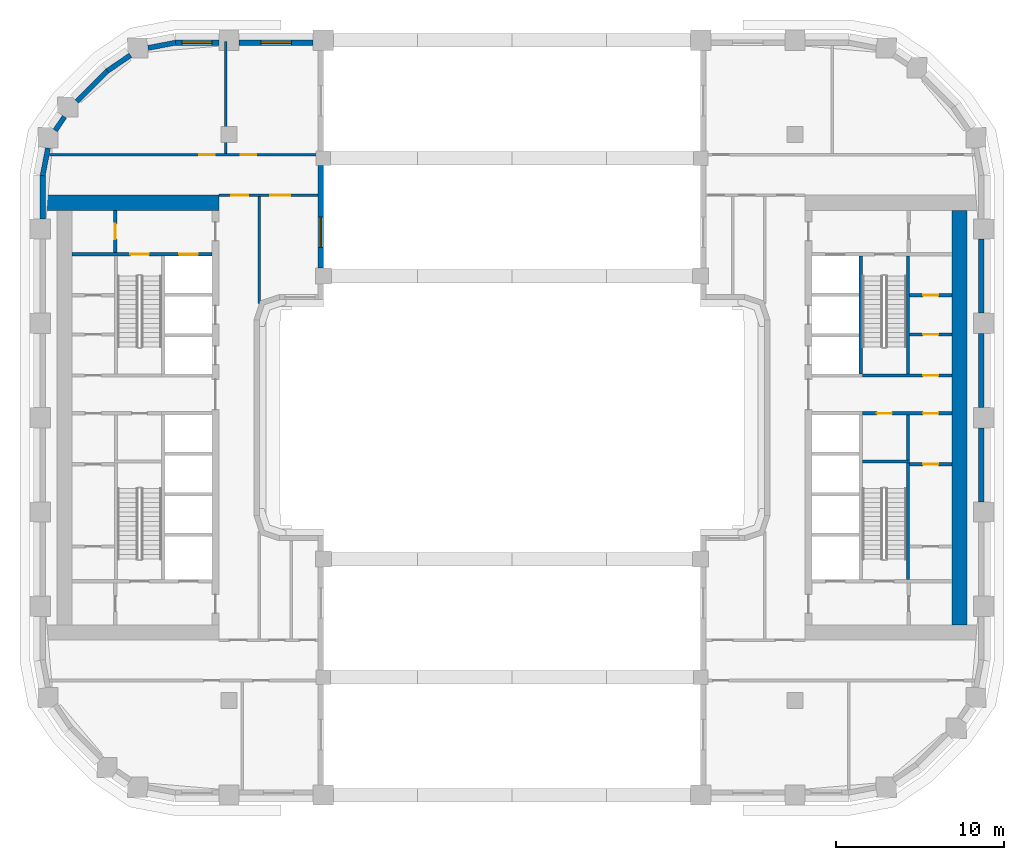
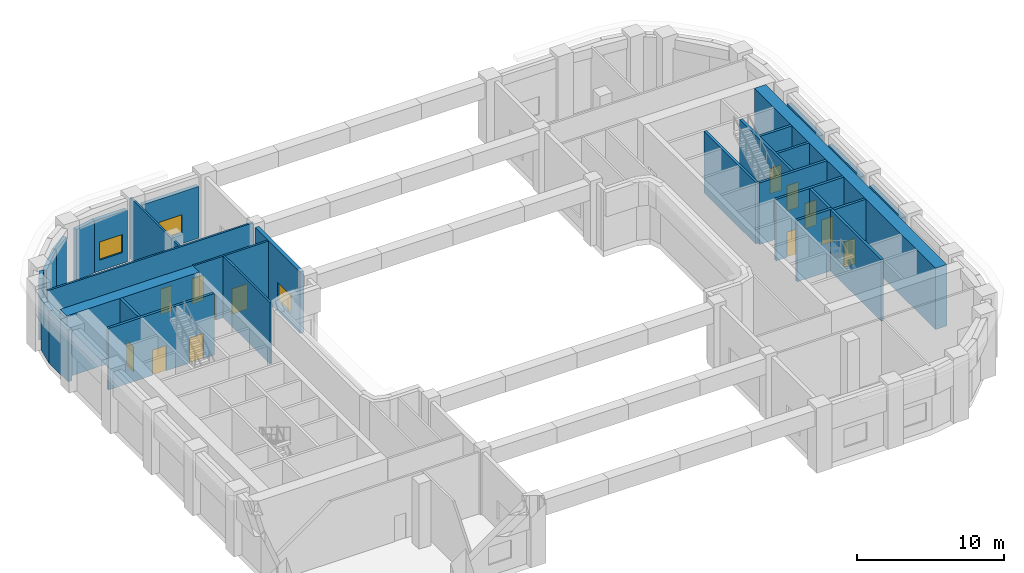
# One storey, part 5 of 14: 30 walls, 13 doors, 3 windows, 16 openings.
"""IFC4 building model written with IfcOpenShell, lengths in metres."""

from ifc_helpers import new_model, si_unit, direction, frame, frame_2d, origin, place, context, subcontext, project, spatial, rectangle, extrude, material, layer, layer_set, type_object, element, fill, save


model = new_model("IFC4")

# Units and contexts
model_context = context("Model", 3, precision=1e-05, world=origin(), true_north=direction((0.0, 1.0)))
body_context = subcontext(model_context, "Body", "Model", "MODEL_VIEW")
ifc_project = project(units=[si_unit("LENGTHUNIT", "METRE"), si_unit("AREAUNIT", "SQUARE_METRE"), si_unit("VOLUMEUNIT", "CUBIC_METRE"), si_unit("PLANEANGLEUNIT", "RADIAN"), si_unit("MASSUNIT", "GRAM", prefix="KILO")], contexts=[model_context])

# Site, building, storey
site_placement = place(None, origin())
site = spatial("IfcSite", under=ifc_project, at=site_placement, CompositionType="ELEMENT")
building_placement = place(site_placement, origin())
building = spatial("IfcBuilding", under=site, at=building_placement, Name="Kiln Ring Residences", CompositionType="ELEMENT")
storey_placement = place(building_placement, frame((0.0, 0.0, 130.699951171875)))
storey = spatial("IfcBuildingStorey", under=building, at=storey_placement, Name="L33", CompositionType="ELEMENT", Elevation=130.699951171875)

# Wall, opening, door
ifc_material_1 = material(Name="Gypsum board on steel studs", Category="steel")
ifc_layer_1 = layer(ifc_material_1, 0.199951171875)
ifc_layer_set_1 = layer_set([ifc_layer_1], Name="CORE-PARTITION-200")
wall_type_1 = type_object("IfcWallType", Name="CORE-PARTITION-200", PredefinedType="PARTITIONING", material=ifc_layer_set_1)
wall_1_placement = place(storey_placement, frame((-23.550048828125, 9.800048828125, 0.0), z_axis=(0.0, 0.0, 1.0), x_axis=(0.0, 1.0, 0.0)))
wall_1 = element("IfcWall", 1, at=wall_1_placement, inside=storey, type_object=wall_type_1, Name="Core partition west L33 3", PredefinedType="PARTITIONING", context=body_context, shape_type="SweptSolid", body=[
    extrude(rectangle(XDim=2.5, YDim=0.199951171875, at=frame_2d((1.25, 0.0))), origin(), (0.0, 0.0, 1.0), 5.10009765625),
])
opening_1_placement = place(wall_1_placement, frame((0.800048828125, 0.0, 0.0)))
opening_1 = element("IfcOpeningElement", 2, at=opening_1_placement, cuts=wall_1, Name="Opening L33-CW07", PredefinedType="OPENING", context=body_context, shape_type="SweptSolid", body=[
    extrude(rectangle(XDim=0.89990234375, YDim=2.10009765625, at=frame_2d((0.449951171875, 1.050048828125))), frame((0.0, 0.10986328125, 0.0), z_axis=(0.0, -1.0, 0.0), x_axis=(1.0, 0.0, 0.0)), (0.0, 0.0, 1.0), 0.219970703125),
])
ifc_material_2 = material(Name="Steel door leaf", Category="steel")
door_type_1 = type_object("IfcDoorType", Name="CORE-DOOR-ROOM", OperationType="SINGLE_SWING_LEFT", PredefinedType="DOOR", material=ifc_material_2)
door_1_placement = place(opening_1_placement, origin())
door_1 = element("IfcDoor", 3, at=door_1_placement, inside=storey, type_object=door_type_1, Name="Fire riser room L33-CW07", OperationType="SINGLE_SWING_LEFT", OverallHeight=2.10009765625, OverallWidth=0.89990234375, PredefinedType="DOOR", context=body_context, shape_type="SweptSolid", body=[
    extrude(rectangle(XDim=0.89990234375, YDim=2.10009765625, at=frame_2d((0.449951171875, 1.050048828125))), frame((0.0, 0.02490234375, 0.0), z_axis=(0.0, -1.0, 0.0), x_axis=(1.0, 0.0, 0.0)), (0.0, 0.0, 1.0), 0.050048828125),
])
fill(opening_1, door_1)

# Wall
wall_2_placement = place(storey_placement, frame((23.5, -2.5, 0.0), z_axis=(0.0, 0.0, 1.0), x_axis=(0.0, 1.0, 0.0)))
element("IfcWall", 4, at=wall_2_placement, inside=storey, type_object=wall_type_1, Name="Core partition east L33 1", PredefinedType="PARTITIONING", context=body_context, shape_type="SweptSolid", body=[
    extrude(rectangle(XDim=2.64990234375, YDim=0.199951171875, at=frame_2d((1.324951171875, 0.0))), origin(), (0.0, 0.0, 1.0), 5.10009765625),
])

# Wall, openings, doors
wall_3_placement = place(storey_placement, frame((20.800048828125, 0.25, 0.0), z_axis=(0.0, 0.0, 1.0), x_axis=(1.0, 0.0, 0.0)))
wall_3 = element("IfcWall", 5, at=wall_3_placement, inside=storey, type_object=wall_type_1, Name="Core partition east L33 2", PredefinedType="PARTITIONING", context=body_context, shape_type="SweptSolid", body=[
    extrude(rectangle(XDim=5.300048828125, YDim=0.199951171875, at=frame_2d((2.64990234375, 0.0))), origin(), (0.0, 0.0, 1.0), 5.10009765625),
])
opening_2_placement = place(wall_3_placement, frame((0.85009765625, 0.0, 0.0)))
opening_2 = element("IfcOpeningElement", 6, at=opening_2_placement, cuts=wall_3, Name="Opening L33-CE12", PredefinedType="OPENING", context=body_context, shape_type="SweptSolid", body=[
    extrude(rectangle(XDim=0.89990234375, YDim=2.10009765625, at=frame_2d((0.449951171875, 1.050048828125))), frame((0.0, 0.10986328125, 0.0), z_axis=(0.0, -1.0, 0.0), x_axis=(1.0, 0.0, 0.0)), (0.0, 0.0, 1.0), 0.219970703125),
])
opening_3_placement = place(wall_3_placement, frame((3.60009765625, 0.0, 0.0)))
opening_3 = element("IfcOpeningElement", 7, at=opening_3_placement, cuts=wall_3, Name="Opening L33-CE15", PredefinedType="OPENING", context=body_context, shape_type="SweptSolid", body=[
    extrude(rectangle(XDim=0.89990234375, YDim=2.10009765625, at=frame_2d((0.449951171875, 1.050048828125))), frame((0.0, 0.10986328125, 0.0), z_axis=(0.0, -1.0, 0.0), x_axis=(1.0, 0.0, 0.0)), (0.0, 0.0, 1.0), 0.219970703125),
])
door_2_placement = place(opening_2_placement, origin())
door_2 = element("IfcDoor", 8, at=door_2_placement, inside=storey, type_object=door_type_1, Name="Cleaner's store L33-CE12", OperationType="SINGLE_SWING_LEFT", OverallHeight=2.10009765625, OverallWidth=0.89990234375, PredefinedType="DOOR", context=body_context, shape_type="SweptSolid", body=[
    extrude(rectangle(XDim=0.89990234375, YDim=2.10009765625, at=frame_2d((0.449951171875, 1.050048828125))), frame((0.0, 0.02490234375, 0.0), z_axis=(0.0, -1.0, 0.0), x_axis=(1.0, 0.0, 0.0)), (0.0, 0.0, 1.0), 0.050048828125),
])
fill(opening_2, door_2)
door_3_placement = place(opening_3_placement, origin())
door_3 = element("IfcDoor", 9, at=door_3_placement, inside=storey, type_object=door_type_1, Name="Battery room L33-CE15", OperationType="SINGLE_SWING_RIGHT", OverallHeight=2.10009765625, OverallWidth=0.89990234375, PredefinedType="DOOR", context=body_context, shape_type="SweptSolid", body=[
    extrude(rectangle(XDim=0.89990234375, YDim=2.10009765625, at=frame_2d((0.449951171875, 1.050048828125))), frame((0.0, 0.02490234375, 0.0), z_axis=(0.0, -1.0, 0.0), x_axis=(1.0, 0.0, 0.0)), (0.0, 0.0, 1.0), 0.050048828125),
])
fill(opening_3, door_3)

# Wall, opening, door
wall_4_placement = place(storey_placement, frame((23.60009765625, -2.77490234375, 0.0), z_axis=(0.0, 0.0, 1.0), x_axis=(1.0, 0.0, 0.0)))
wall_4 = element("IfcWall", 10, at=wall_4_placement, inside=storey, type_object=wall_type_1, Name="Core partition east L33 6", PredefinedType="PARTITIONING", context=body_context, shape_type="SweptSolid", body=[
    extrude(rectangle(XDim=2.5, YDim=0.199951171875, at=frame_2d((1.25, 0.0))), origin(), (0.0, 0.0, 1.0), 5.10009765625),
])
opening_4_placement = place(wall_4_placement, frame((0.800048828125, 0.0, 0.0)))
opening_4 = element("IfcOpeningElement", 11, at=opening_4_placement, cuts=wall_4, Name="Opening L33-CE14", PredefinedType="OPENING", context=body_context, shape_type="SweptSolid", body=[
    extrude(rectangle(XDim=0.89990234375, YDim=2.10009765625, at=frame_2d((0.449951171875, 1.050048828125))), frame((0.0, 0.10986328125, 0.0), z_axis=(0.0, -1.0, 0.0), x_axis=(1.0, 0.0, 0.0)), (0.0, 0.0, 1.0), 0.219970703125),
])
door_4_placement = place(opening_4_placement, origin())
door_4 = element("IfcDoor", 12, at=door_4_placement, inside=storey, type_object=door_type_1, Name="Battery room L33-CE14", OperationType="SINGLE_SWING_RIGHT", OverallHeight=2.10009765625, OverallWidth=0.89990234375, PredefinedType="DOOR", context=body_context, shape_type="SweptSolid", body=[
    extrude(rectangle(XDim=0.89990234375, YDim=2.10009765625, at=frame_2d((0.449951171875, 1.050048828125))), frame((0.0, 0.02490234375, 0.0), z_axis=(0.0, -1.0, 0.0), x_axis=(1.0, 0.0, 0.0)), (0.0, 0.0, 1.0), 0.050048828125),
])
fill(opening_4, door_4)

wall_5_placement = place(storey_placement, frame((23.60009765625, 4.933349609375, 0.0), z_axis=(0.0, 0.0, 1.0), x_axis=(1.0, 0.0, 0.0)))
wall_5 = element("IfcWall", 13, at=wall_5_placement, inside=storey, type_object=wall_type_1, Name="Core partition east L33 7", PredefinedType="PARTITIONING", context=body_context, shape_type="SweptSolid", body=[
    extrude(rectangle(XDim=2.5, YDim=0.199951171875, at=frame_2d((1.25, 0.0))), origin(), (0.0, 0.0, 1.0), 5.10009765625),
])
opening_5_placement = place(wall_5_placement, frame((0.800048828125, 0.0, 0.0)))
opening_5 = element("IfcOpeningElement", 14, at=opening_5_placement, cuts=wall_5, Name="Opening L33-CE16", PredefinedType="OPENING", context=body_context, shape_type="SweptSolid", body=[
    extrude(rectangle(XDim=0.89990234375, YDim=2.10009765625, at=frame_2d((0.449951171875, 1.050048828125))), frame((0.0, 0.10986328125, 0.0), z_axis=(0.0, -1.0, 0.0), x_axis=(1.0, 0.0, 0.0)), (0.0, 0.0, 1.0), 0.219970703125),
])
door_5_placement = place(opening_5_placement, origin())
door_5 = element("IfcDoor", 15, at=door_5_placement, inside=storey, type_object=door_type_1, Name="Electrical plant room L33-CE16", OperationType="SINGLE_SWING_RIGHT", OverallHeight=2.10009765625, OverallWidth=0.89990234375, PredefinedType="DOOR", context=body_context, shape_type="SweptSolid", body=[
    extrude(rectangle(XDim=0.89990234375, YDim=2.10009765625, at=frame_2d((0.449951171875, 1.050048828125))), frame((0.0, 0.02490234375, 0.0), z_axis=(0.0, -1.0, 0.0), x_axis=(1.0, 0.0, 0.0)), (0.0, 0.0, 1.0), 0.050048828125),
])
fill(opening_5, door_5)

wall_6_placement = place(storey_placement, frame((23.60009765625, 7.2666015625, 0.0), z_axis=(0.0, 0.0, 1.0), x_axis=(1.0, 0.0, 0.0)))
wall_6 = element("IfcWall", 16, at=wall_6_placement, inside=storey, type_object=wall_type_1, Name="Core partition east L33 8", PredefinedType="PARTITIONING", context=body_context, shape_type="SweptSolid", body=[
    extrude(rectangle(XDim=2.5, YDim=0.199951171875, at=frame_2d((1.25, 0.0))), origin(), (0.0, 0.0, 1.0), 5.10009765625),
])
opening_6_placement = place(wall_6_placement, frame((0.800048828125, 0.0, 0.0)))
opening_6 = element("IfcOpeningElement", 17, at=opening_6_placement, cuts=wall_6, Name="Opening L33-CE17", PredefinedType="OPENING", context=body_context, shape_type="SweptSolid", body=[
    extrude(rectangle(XDim=0.89990234375, YDim=2.10009765625, at=frame_2d((0.449951171875, 1.050048828125))), frame((0.0, 0.10986328125, 0.0), z_axis=(0.0, -1.0, 0.0), x_axis=(1.0, 0.0, 0.0)), (0.0, 0.0, 1.0), 0.219970703125),
])
door_6_placement = place(opening_6_placement, origin())
door_6 = element("IfcDoor", 18, at=door_6_placement, inside=storey, type_object=door_type_1, Name="Comms room L33-CE17", OperationType="SINGLE_SWING_LEFT", OverallHeight=2.10009765625, OverallWidth=0.89990234375, PredefinedType="DOOR", context=body_context, shape_type="SweptSolid", body=[
    extrude(rectangle(XDim=0.89990234375, YDim=2.10009765625, at=frame_2d((0.449951171875, 1.050048828125))), frame((0.0, 0.02490234375, 0.0), z_axis=(0.0, -1.0, 0.0), x_axis=(1.0, 0.0, 0.0)), (0.0, 0.0, 1.0), 0.050048828125),
])
fill(opening_6, door_6)

# Wall, openings, doors
ifc_material_3 = material(Name="Concrete C40/50", Category="concrete")
ifc_layer_2 = layer(ifc_material_3, 0.199951171875)
ifc_layer_set_2 = layer_set([ifc_layer_2], Name="CORE-WALL-RC200")
wall_type_2 = type_object("IfcWallType", Name="CORE-WALL-RC200", PredefinedType="SHEAR", material=ifc_layer_set_2)
wall_7_placement = place(storey_placement, frame((-17.800048828125, 9.699951171875, 0.0), z_axis=(0.0, 0.0, 1.0), x_axis=(-1.0, 0.0, 0.0)))
wall_7 = element("IfcWall", 19, at=wall_7_placement, inside=storey, type_object=wall_type_2, Name="Core wall west L33 9", PredefinedType="SHEAR", context=body_context, shape_type="SweptSolid", body=[
    extrude(rectangle(XDim=8.300048828125, YDim=0.199951171875, at=frame_2d((4.14990234375, 0.0))), origin(), (0.0, 0.0, 1.0), 5.10009765625),
])
opening_7_placement = place(wall_7_placement, frame((0.85009765625, 0.0, 0.0)))
opening_7 = element("IfcOpeningElement", 20, at=opening_7_placement, cuts=wall_7, Name="Opening L33-CW04", PredefinedType="OPENING", context=body_context, shape_type="SweptSolid", body=[
    extrude(rectangle(XDim=1.10009765625, YDim=2.10009765625, at=frame_2d((0.550048828125, 1.050048828125))), frame((0.0, 0.10986328125, 0.0), z_axis=(0.0, -1.0, 0.0), x_axis=(1.0, 0.0, 0.0)), (0.0, 0.0, 1.0), 0.219970703125),
])
opening_8_placement = place(wall_7_placement, frame((3.75, 0.0, 0.0)))
opening_8 = element("IfcOpeningElement", 21, at=opening_8_placement, cuts=wall_7, Name="Opening L33-CW09", PredefinedType="OPENING", context=body_context, shape_type="SweptSolid", body=[
    extrude(rectangle(XDim=1.10009765625, YDim=2.10009765625, at=frame_2d((0.550048828125, 1.050048828125))), frame((0.0, 0.10986328125, 0.0), z_axis=(0.0, -1.0, 0.0), x_axis=(1.0, 0.0, 0.0)), (0.0, 0.0, 1.0), 0.219970703125),
])
ifc_material_4 = material(Name="Steel door leaf", Category="steel")
door_type_2 = type_object("IfcDoorType", Name="CORE-DOOR-LD", OperationType="DOUBLE_DOOR_SLIDING", PredefinedType="DOOR", material=ifc_material_4)
door_7_placement = place(opening_7_placement, origin())
door_7 = element("IfcDoor", 22, at=door_7_placement, inside=storey, type_object=door_type_2, Name="LD W-FF L33-CW04", OperationType="DOUBLE_DOOR_SLIDING", OverallHeight=2.10009765625, OverallWidth=1.10009765625, PredefinedType="DOOR", context=body_context, shape_type="SweptSolid", body=[
    extrude(rectangle(XDim=1.10009765625, YDim=2.10009765625, at=frame_2d((0.550048828125, 1.050048828125))), frame((0.0, 0.02490234375, 0.0), z_axis=(0.0, -1.0, 0.0), x_axis=(1.0, 0.0, 0.0)), (0.0, 0.0, 1.0), 0.050048828125),
])
fill(opening_7, door_7)
ifc_material_5 = material(Name="Steel door leaf", Category="steel")
door_type_3 = type_object("IfcDoorType", Name="CORE-DOOR-STAIR", OperationType="SINGLE_SWING_LEFT", PredefinedType="DOOR", material=ifc_material_5)
door_8_placement = place(opening_8_placement, origin())
door_8 = element("IfcDoor", 23, at=door_8_placement, inside=storey, type_object=door_type_3, Name="Stair W-STN L33-CW09", OperationType="SINGLE_SWING_LEFT", OverallHeight=2.10009765625, OverallWidth=1.10009765625, PredefinedType="DOOR", context=body_context, shape_type="SweptSolid", body=[
    extrude(rectangle(XDim=1.10009765625, YDim=2.10009765625, at=frame_2d((0.550048828125, 1.050048828125))), frame((0.0, 0.02490234375, 0.0), z_axis=(0.0, -1.0, 0.0), x_axis=(1.0, 0.0, 0.0)), (0.0, 0.0, 1.0), 0.050048828125),
])
fill(opening_8, door_8)

# Wall
wall_8_placement = place(storey_placement, frame((20.699951171875, 2.60009765625, 0.0), z_axis=(0.0, 0.0, 1.0), x_axis=(0.0, 1.0, 0.0)))
element("IfcWall", 24, at=wall_8_placement, inside=storey, type_object=wall_type_2, Name="Core wall east L33 1", PredefinedType="SHEAR", context=body_context, shape_type="SweptSolid", body=[
    extrude(rectangle(XDim=7.0, YDim=0.199951171875, at=frame_2d((3.5, 0.0))), origin(), (0.0, 0.0, 1.0), 5.10009765625),
])

# Wall, opening, door
wall_9_placement = place(storey_placement, frame((20.800048828125, 2.5, 0.0), z_axis=(0.0, 0.0, 1.0), x_axis=(1.0, 0.0, 0.0)))
wall_9 = element("IfcWall", 25, at=wall_9_placement, inside=storey, type_object=wall_type_2, Name="Core wall east L33 3", PredefinedType="SHEAR", context=body_context, shape_type="SweptSolid", body=[
    extrude(rectangle(XDim=5.300048828125, YDim=0.199951171875, at=frame_2d((2.64990234375, 0.0))), origin(), (0.0, 0.0, 1.0), 5.10009765625),
])
opening_9_placement = place(wall_9_placement, frame((3.60009765625, 0.0, 0.0)))
opening_9 = element("IfcOpeningElement", 26, at=opening_9_placement, cuts=wall_9, Name="Opening L33-CE18", PredefinedType="OPENING", context=body_context, shape_type="SweptSolid", body=[
    extrude(rectangle(XDim=0.89990234375, YDim=2.10009765625, at=frame_2d((0.449951171875, 1.050048828125))), frame((0.0, 0.10986328125, 0.0), z_axis=(0.0, -1.0, 0.0), x_axis=(1.0, 0.0, 0.0)), (0.0, 0.0, 1.0), 0.219970703125),
])
door_9_placement = place(opening_9_placement, origin())
door_9 = element("IfcDoor", 27, at=door_9_placement, inside=storey, type_object=door_type_1, Name="UPS room L33-CE18", OperationType="SINGLE_SWING_RIGHT", OverallHeight=2.10009765625, OverallWidth=0.89990234375, PredefinedType="DOOR", context=body_context, shape_type="SweptSolid", body=[
    extrude(rectangle(XDim=0.89990234375, YDim=2.10009765625, at=frame_2d((0.449951171875, 1.050048828125))), frame((0.0, 0.02490234375, 0.0), z_axis=(0.0, -1.0, 0.0), x_axis=(1.0, 0.0, 0.0)), (0.0, 0.0, 1.0), 0.050048828125),
])
fill(opening_9, door_9)

# Walls
wall_10_placement = place(storey_placement, frame((23.5, 2.60009765625, 0.0), z_axis=(0.0, 0.0, 1.0), x_axis=(0.0, 1.0, 0.0)))
element("IfcWall", 28, at=wall_10_placement, inside=storey, type_object=wall_type_2, Name="Core wall east L33 10", PredefinedType="SHEAR", context=body_context, shape_type="SweptSolid", body=[
    extrude(rectangle(XDim=7.0, YDim=0.199951171875, at=frame_2d((3.5, 0.0))), origin(), (0.0, 0.0, 1.0), 5.10009765625),
])
wall_11_placement = place(storey_placement, frame((23.5, -9.60009765625, 0.0), z_axis=(0.0, 0.0, 1.0), x_axis=(0.0, 1.0, 0.0)))
element("IfcWall", 29, at=wall_11_placement, inside=storey, type_object=wall_type_2, Name="Core wall east L33 11", PredefinedType="SHEAR", context=body_context, shape_type="SweptSolid", body=[
    extrude(rectangle(XDim=6.900146484375, YDim=0.199951171875, at=frame_2d((3.4501953125, 0.0))), origin(), (0.0, 0.0, 1.0), 5.10009765625),
])
wall_12_placement = place(storey_placement, frame((20.800048828125, -2.60009765625, 0.0), z_axis=(0.0, 0.0, 1.0), x_axis=(1.0, 0.0, 0.0)))
element("IfcWall", 30, at=wall_12_placement, inside=storey, type_object=wall_type_2, Name="Core wall east L33 12", PredefinedType="SHEAR", context=body_context, shape_type="SweptSolid", body=[
    extrude(rectangle(XDim=2.800048828125, YDim=0.199951171875, at=frame_2d((1.39990234375, 0.0))), origin(), (0.0, 0.0, 1.0), 5.10009765625),
])
ifc_material_6 = material(Name="Concrete C60/75", Category="concrete")
ifc_layer_3 = layer(ifc_material_6, 0.89990234375)
ifc_layer_set_3 = layer_set([ifc_layer_3], Name="CORE-WALL-RC900")
wall_type_3 = type_object("IfcWallType", Name="CORE-WALL-RC900", PredefinedType="SHEAR", material=ifc_layer_set_3)
wall_13_placement = place(storey_placement, frame((-17.39990234375, 12.75, 0.0), z_axis=(0.0, 0.0, 1.0), x_axis=(-1.0, 0.0, 0.0)))
element("IfcWall", 31, at=wall_13_placement, inside=storey, type_object=wall_type_3, Name="Core wall west L33 4", PredefinedType="SHEAR", context=body_context, shape_type="SweptSolid", body=[
    extrude(rectangle(XDim=10.400146484375, YDim=0.89990234375, at=frame_2d((5.2001953125, 0.0))), origin(), (0.0, 0.0, 1.0), 5.10009765625),
])
wall_14_placement = place(storey_placement, frame((26.550048828125, -12.300048828125, 0.0), z_axis=(0.0, 0.0, 1.0), x_axis=(0.0, 1.0, 0.0)))
element("IfcWall", 32, at=wall_14_placement, inside=storey, type_object=wall_type_3, Name="Core wall east L33 7", PredefinedType="SHEAR", context=body_context, shape_type="SweptSolid", body=[
    extrude(rectangle(XDim=24.60009765625, YDim=0.89990234375, at=frame_2d((12.300048828125, 0.0))), origin(), (0.0, 0.0, 1.0), 5.10009765625),
])

# Wall, opening, window
ifc_material_7 = material(Name="Brick masonry, dark clay brick", Category="masonry")
ifc_layer_4 = layer(ifc_material_7, 0.300048828125)
ifc_layer_set_4 = layer_set([ifc_layer_4], Name="EW-300 BRICK WALL")
wall_type_4 = type_object("IfcWallType", Name="EW-300 BRICK WALL", PredefinedType="SOLIDWALL", material=ifc_layer_set_4)
wall_15_placement = place(storey_placement, frame((-11.35009765625, 8.875, 0.0), z_axis=(0.0, 0.0, 1.0), x_axis=(0.0, 1.0, 0.0)))
wall_15 = element("IfcWall", 33, at=wall_15_placement, inside=storey, type_object=wall_type_4, Name="Facade wall L33 15", PredefinedType="SOLIDWALL", context=body_context, shape_type="SweptSolid", body=[
    extrude(rectangle(XDim=6.10009765625, YDim=0.300048828125, at=frame_2d((3.050048828125, 0.0))), origin(), (0.0, 0.0, 1.0), 5.10009765625),
])
opening_10_placement = place(wall_15_placement, frame((1.22509765625, 0.0, 0.89990234375)))
opening_10 = element("IfcOpeningElement", 34, at=opening_10_placement, cuts=wall_15, Name="Opening LV1", PredefinedType="OPENING", context=body_context, shape_type="SweptSolid", body=[
    extrude(rectangle(XDim=1.800048828125, YDim=1.5, at=frame_2d((0.89990234375, 0.75))), frame((0.0, 0.159912109375, 0.0), z_axis=(0.0, -1.0, 0.0), x_axis=(1.0, 0.0, 0.0)), (0.0, 0.0, 1.0), 0.320068359375),
])
ifc_material_8 = material(Name="Aluminium louvre", Category="aluminium")
window_type = type_object("IfcWindowType", Name="LOUVRED VENT 1800 x 1500", PartitioningType="SINGLE_PANEL", PredefinedType="WINDOW", material=ifc_material_8)
window_1_placement = place(opening_10_placement, origin())
window_1 = element("IfcWindow", 35, at=window_1_placement, inside=storey, type_object=window_type, Name="Louvred vent L33 6", OverallHeight=1.5, OverallWidth=1.800048828125, PartitioningType="SINGLE_PANEL", PredefinedType="WINDOW", context=body_context, shape_type="SweptSolid", body=[
    extrude(rectangle(XDim=1.800048828125, YDim=1.5, at=frame_2d((0.89990234375, 0.75))), frame((0.0, 0.030029296875, 0.0), z_axis=(0.0, -1.0, 0.0), x_axis=(1.0, 0.0, 0.0)), (0.0, 0.0, 1.0), 0.06005859375),
])
fill(opening_10, window_1)

wall_16_placement = place(storey_placement, frame((-11.800048828125, 22.25, 0.0), z_axis=(0.0, 0.0, 1.0), x_axis=(-1.0, 0.0, 0.0)))
wall_16 = element("IfcWall", 36, at=wall_16_placement, inside=storey, type_object=wall_type_4, Name="Facade wall L33 17", PredefinedType="SOLIDWALL", context=body_context, shape_type="SweptSolid", body=[
    extrude(rectangle(XDim=4.39990234375, YDim=0.300048828125, at=frame_2d((2.199951171875, 0.0))), origin(), (0.0, 0.0, 1.0), 4.300048828125),
])
opening_11_placement = place(wall_16_placement, frame((1.300048828125, 0.0, 0.89990234375)))
opening_11 = element("IfcOpeningElement", 37, at=opening_11_placement, cuts=wall_16, Name="Opening LV1", PredefinedType="OPENING", context=body_context, shape_type="SweptSolid", body=[
    extrude(rectangle(XDim=1.800048828125, YDim=1.5, at=frame_2d((0.89990234375, 0.75))), frame((0.0, 0.159912109375, 0.0), z_axis=(0.0, -1.0, 0.0), x_axis=(1.0, 0.0, 0.0)), (0.0, 0.0, 1.0), 0.320068359375),
])
window_2_placement = place(opening_11_placement, origin())
window_2 = element("IfcWindow", 38, at=window_2_placement, inside=storey, type_object=window_type, Name="Louvred vent L33 8", OverallHeight=1.5, OverallWidth=1.800048828125, PartitioningType="SINGLE_PANEL", PredefinedType="WINDOW", context=body_context, shape_type="SweptSolid", body=[
    extrude(rectangle(XDim=1.800048828125, YDim=1.5, at=frame_2d((0.89990234375, 0.75))), frame((0.0, 0.030029296875, 0.0), z_axis=(0.0, -1.0, 0.0), x_axis=(1.0, 0.0, 0.0)), (0.0, 0.0, 1.0), 0.06005859375),
])
fill(opening_11, window_2)

wall_17_placement = place(storey_placement, frame((-17.39990234375, 22.25, 0.0), z_axis=(0.0, 0.0, 1.0), x_axis=(-1.0, 0.0, 0.0)))
wall_17 = element("IfcWall", 39, at=wall_17_placement, inside=storey, type_object=wall_type_4, Name="Facade wall L33 18", PredefinedType="SOLIDWALL", context=body_context, shape_type="SweptSolid", body=[
    extrude(rectangle(XDim=2.60009765625, YDim=0.300048828125, at=frame_2d((1.300048828125, 0.0))), origin(), (0.0, 0.0, 1.0), 4.300048828125),
])
opening_12_placement = place(wall_17_placement, frame((0.39990234375, 0.0, 0.89990234375)))
opening_12 = element("IfcOpeningElement", 40, at=opening_12_placement, cuts=wall_17, Name="Opening LV1", PredefinedType="OPENING", context=body_context, shape_type="SweptSolid", body=[
    extrude(rectangle(XDim=1.800048828125, YDim=1.5, at=frame_2d((0.89990234375, 0.75))), frame((0.0, 0.159912109375, 0.0), z_axis=(0.0, -1.0, 0.0), x_axis=(1.0, 0.0, 0.0)), (0.0, 0.0, 1.0), 0.320068359375),
])
window_3_placement = place(opening_12_placement, origin())
window_3 = element("IfcWindow", 41, at=window_3_placement, inside=storey, type_object=window_type, Name="Louvred vent L33 9", OverallHeight=1.5, OverallWidth=1.800048828125, PartitioningType="SINGLE_PANEL", PredefinedType="WINDOW", context=body_context, shape_type="SweptSolid", body=[
    extrude(rectangle(XDim=1.800048828125, YDim=1.5, at=frame_2d((0.89990234375, 0.75))), frame((0.0, 0.030029296875, 0.0), z_axis=(0.0, -1.0, 0.0), x_axis=(1.0, 0.0, 0.0)), (0.0, 0.0, 1.0), 0.06005859375),
])
fill(opening_12, window_3)

# Walls
for number, where, z_axis, x_axis, name in (
    (42, (-19.971923828125, 22.252685546875, 0.0), (0.0, 0.0, 1.0), (-0.98228820662, -0.187376303559, 0.0), "Facade wall L33 19"),
    (43, (-22.64306640625, 21.509765625, 0.0), (0.0, 0.0, 1.0), (-0.827049873329, -0.562128550268, 0.0), "Facade wall L33 20"),
):
    element("IfcWall", number, at=place(storey_placement, frame(where, z_axis=z_axis, x_axis=x_axis)), inside=storey, type_object=wall_type_4, Name=name, PredefinedType="SOLIDWALL", context=body_context, shape_type="SweptSolid", body=[
        extrude(rectangle(XDim=1.656005859375, YDim=0.300048828125, at=frame_2d((0.828125, 0.0))), origin(), (0.0, 0.0, 1.0), 4.300048828125),
    ])
wall_18_placement = place(storey_placement, frame((-23.990966796875, 20.596923828125, 0.0), z_axis=(0.0, 0.0, 1.0), x_axis=(-0.707106781187, -0.707106781187, 0.0)))
element("IfcWall", 44, at=wall_18_placement, inside=storey, type_object=wall_type_4, Name="Facade wall L33 21", PredefinedType="SOLIDWALL", context=body_context, shape_type="SweptSolid", body=[
    extrude(rectangle(XDim=2.60009765625, YDim=0.300048828125, at=frame_2d((1.300048828125, 0.0))), origin(), (0.0, 0.0, 1.0), 4.300048828125),
])
wall_19_placement = place(storey_placement, frame((-26.560546875, 17.85107421875, 0.0), z_axis=(0.0, 0.0, 1.0), x_axis=(-0.562173331661, -0.827019434577, 0.0)))
element("IfcWall", 45, at=wall_19_placement, inside=storey, type_object=wall_type_4, Name="Facade wall L33 22", PredefinedType="SOLIDWALL", context=body_context, shape_type="SweptSolid", body=[
    extrude(rectangle(XDim=0.97705078125, YDim=0.300048828125, at=frame_2d((0.488525390625, 0.0))), origin(), (0.0, 0.0, 1.0), 5.10009765625),
])
wall_20_placement = place(storey_placement, frame((-27.542236328125, 15.998779296875, 0.0), z_axis=(0.0, 0.0, 1.0), x_axis=(-0.187349172861, -0.982293381546, 0.0)))
element("IfcWall", 46, at=wall_20_placement, inside=storey, type_object=wall_type_4, Name="Facade wall L33 23", PredefinedType="SOLIDWALL", context=body_context, shape_type="SweptSolid", body=[
    extrude(rectangle(XDim=1.65625, YDim=0.300048828125, at=frame_2d((0.828125, 0.0))), origin(), (0.0, 0.0, 1.0), 4.300048828125),
])
wall_21_placement = place(storey_placement, frame((-27.85009765625, 14.39990234375, 0.0), z_axis=(0.0, 0.0, 1.0), x_axis=(0.0, -1.0, 0.0)))
element("IfcWall", 47, at=wall_21_placement, inside=storey, type_object=wall_type_4, Name="Facade wall L33 24", PredefinedType="SOLIDWALL", context=body_context, shape_type="SweptSolid", body=[
    extrude(rectangle(XDim=2.599853515625, YDim=0.300048828125, at=frame_2d((1.2998046875, 0.0))), origin(), (0.0, 0.0, 1.0), 4.300048828125),
])
for number, where, z_axis, x_axis, name in (
    (48, (27.85009765625, -5.0, 0.0), (0.0, 0.0, 1.0), (0.0, 1.0, 0.0), "Facade wall L33 43"),
    (49, (27.85009765625, 0.60009765625, 0.0), (0.0, 0.0, 1.0), (0.0, 1.0, 0.0), "Facade wall L33 44"),
):
    element("IfcWall", number, at=place(storey_placement, frame(where, z_axis=z_axis, x_axis=x_axis)), inside=storey, type_object=wall_type_4, Name=name, PredefinedType="SOLIDWALL", context=body_context, shape_type="SweptSolid", body=[
        extrude(rectangle(XDim=4.39990234375, YDim=0.300048828125, at=frame_2d((2.199951171875, 0.0))), origin(), (0.0, 0.0, 1.0), 4.300048828125),
    ])
wall_22_placement = place(storey_placement, frame((27.85009765625, 6.199951171875, 0.0), z_axis=(0.0, 0.0, 1.0), x_axis=(0.0, 1.0, 0.0)))
element("IfcWall", 50, at=wall_22_placement, inside=storey, type_object=wall_type_4, Name="Facade wall L33 45", PredefinedType="SOLIDWALL", context=body_context, shape_type="SweptSolid", body=[
    extrude(rectangle(XDim=4.400146484375, YDim=0.300048828125, at=frame_2d((2.2001953125, 0.0))), origin(), (0.0, 0.0, 1.0), 4.300048828125),
])

# Wall, openings, doors
ifc_material_9 = material(Name="Brick masonry partition", Category="masonry")
ifc_layer_5 = layer(ifc_material_9, 0.14990234375)
ifc_layer_set_5 = layer_set([ifc_layer_5], Name="PARTITION-150-ei60")
wall_type_5 = type_object("IfcWallType", Name="PARTITION-150-ei60", PredefinedType="PARTITIONING", material=ifc_layer_set_5)
wall_23_placement = place(storey_placement, frame((-17.39990234375, 13.199951171875, 0.0), z_axis=(0.0, 0.0, 1.0), x_axis=(1.0, 0.0, 0.0)))
wall_23 = element("IfcWall", 51, at=wall_23_placement, inside=storey, type_object=wall_type_5, Name="Partition 004", PredefinedType="PARTITIONING", context=body_context, shape_type="SweptSolid", body=[
    extrude(rectangle(XDim=5.8798828125, YDim=0.14990234375, at=frame_2d((2.93994140625, 0.0))), origin(), (0.0, 0.0, 1.0), 5.10009765625),
])
opening_13_placement = place(wall_23_placement, frame((0.75, 0.0, 0.0)))
opening_13 = element("IfcOpeningElement", 52, at=opening_13_placement, cuts=wall_23, Name="Opening L33-D006", PredefinedType="OPENING", context=body_context, shape_type="SweptSolid", body=[
    extrude(rectangle(XDim=1.0, YDim=2.10009765625, at=frame_2d((0.5, 1.050048828125))), frame((0.0, 0.0849609375, 0.0), z_axis=(0.0, -1.0, 0.0), x_axis=(1.0, 0.0, 0.0)), (0.0, 0.0, 1.0), 0.169921875),
])
opening_14_placement = place(wall_23_placement, frame((3.050048828125, 0.0, 0.0)))
opening_14 = element("IfcOpeningElement", 53, at=opening_14_placement, cuts=wall_23, Name="Opening L33-D007", PredefinedType="OPENING", context=body_context, shape_type="SweptSolid", body=[
    extrude(rectangle(XDim=1.199951171875, YDim=2.10009765625, at=frame_2d((0.60009765625, 1.050048828125))), frame((0.0, 0.0849609375, 0.0), z_axis=(0.0, -1.0, 0.0), x_axis=(1.0, 0.0, 0.0)), (0.0, 0.0, 1.0), 0.169921875),
])
ifc_material_10 = material(Name="Steel faced fire door leaf", Category="steel")
door_type_4 = type_object("IfcDoorType", Name="FLAT-DOOR-1000-FR", OperationType="SINGLE_SWING_LEFT", PredefinedType="DOOR", material=ifc_material_10)
door_10_placement = place(opening_13_placement, origin())
door_10 = element("IfcDoor", 54, at=door_10_placement, inside=storey, type_object=door_type_4, Name="Door L33-D006", OperationType="SINGLE_SWING_LEFT", OverallHeight=2.10009765625, OverallWidth=1.0, PredefinedType="DOOR", context=body_context, shape_type="SweptSolid", body=[
    extrude(rectangle(XDim=1.0, YDim=2.10009765625, at=frame_2d((0.5, 1.050048828125))), frame((0.0, 0.02490234375, 0.0), z_axis=(0.0, -1.0, 0.0), x_axis=(1.0, 0.0, 0.0)), (0.0, 0.0, 1.0), 0.050048828125),
])
fill(opening_13, door_10)
ifc_material_11 = material(Name="Steel faced fire door leaf", Category="steel")
door_type_5 = type_object("IfcDoorType", Name="FLAT-DOOR-1200-FR", OperationType="SINGLE_SWING_LEFT", PredefinedType="DOOR", material=ifc_material_11)
door_11_placement = place(opening_14_placement, origin())
door_11 = element("IfcDoor", 55, at=door_11_placement, inside=storey, type_object=door_type_5, Name="Door L33-D007", OperationType="SINGLE_SWING_LEFT", OverallHeight=2.10009765625, OverallWidth=1.199951171875, PredefinedType="DOOR", context=body_context, shape_type="SweptSolid", body=[
    extrude(rectangle(XDim=1.199951171875, YDim=2.10009765625, at=frame_2d((0.60009765625, 1.050048828125))), frame((0.0, 0.02490234375, 0.0), z_axis=(0.0, -1.0, 0.0), x_axis=(1.0, 0.0, 0.0)), (0.0, 0.0, 1.0), 0.050048828125),
])
fill(opening_14, door_11)

wall_24_placement = place(storey_placement, frame((-27.44580078125, 15.60009765625, 0.0), z_axis=(0.0, 0.0, 1.0), x_axis=(1.0, 0.0, 0.0)))
wall_24 = element("IfcWall", 56, at=wall_24_placement, inside=storey, type_object=wall_type_5, Name="Partition 006", PredefinedType="PARTITIONING", context=body_context, shape_type="SweptSolid", body=[
    extrude(rectangle(XDim=16.15576171875, YDim=0.14990234375, at=frame_2d((8.077880859375, 0.0))), origin(), (0.0, 0.0, 1.0), 5.10009765625),
])
opening_15_placement = place(wall_24_placement, frame((11.355712890625, 0.0, 0.0)))
opening_15 = element("IfcOpeningElement", 57, at=opening_15_placement, cuts=wall_24, Name="Opening L33-D008", PredefinedType="OPENING", context=body_context, shape_type="SweptSolid", body=[
    extrude(rectangle(XDim=0.89990234375, YDim=2.10009765625, at=frame_2d((0.449951171875, 1.050048828125))), frame((0.0, 0.0849609375, 0.0), z_axis=(0.0, -1.0, 0.0), x_axis=(1.0, 0.0, 0.0)), (0.0, 0.0, 1.0), 0.169921875),
])
opening_16_placement = place(wall_24_placement, frame((8.895751953125, 0.0, 0.0)))
opening_16 = element("IfcOpeningElement", 58, at=opening_16_placement, cuts=wall_24, Name="Opening L33-D009", PredefinedType="OPENING", context=body_context, shape_type="SweptSolid", body=[
    extrude(rectangle(XDim=0.89990234375, YDim=2.10009765625, at=frame_2d((0.449951171875, 1.050048828125))), frame((0.0, 0.0849609375, 0.0), z_axis=(0.0, -1.0, 0.0), x_axis=(1.0, 0.0, 0.0)), (0.0, 0.0, 1.0), 0.169921875),
])
ifc_material_12 = material(Name="Steel faced fire door leaf", Category="steel")
door_type_6 = type_object("IfcDoorType", Name="FLAT-DOOR-900-FR", OperationType="SINGLE_SWING_LEFT", PredefinedType="DOOR", material=ifc_material_12)
door_12_placement = place(opening_15_placement, origin())
door_12 = element("IfcDoor", 59, at=door_12_placement, inside=storey, type_object=door_type_6, Name="Door L33-D008", OperationType="SINGLE_SWING_RIGHT", OverallHeight=2.10009765625, OverallWidth=0.89990234375, PredefinedType="DOOR", context=body_context, shape_type="SweptSolid", body=[
    extrude(rectangle(XDim=0.89990234375, YDim=2.10009765625, at=frame_2d((0.449951171875, 1.050048828125))), frame((0.0, 0.02490234375, 0.0), z_axis=(0.0, -1.0, 0.0), x_axis=(1.0, 0.0, 0.0)), (0.0, 0.0, 1.0), 0.050048828125),
])
fill(opening_15, door_12)
door_13_placement = place(opening_16_placement, origin())
door_13 = element("IfcDoor", 60, at=door_13_placement, inside=storey, type_object=door_type_6, Name="Door L33-D009", OperationType="SINGLE_SWING_LEFT", OverallHeight=2.10009765625, OverallWidth=0.89990234375, PredefinedType="DOOR", context=body_context, shape_type="SweptSolid", body=[
    extrude(rectangle(XDim=0.89990234375, YDim=2.10009765625, at=frame_2d((0.449951171875, 1.050048828125))), frame((0.0, 0.02490234375, 0.0), z_axis=(0.0, -1.0, 0.0), x_axis=(1.0, 0.0, 0.0)), (0.0, 0.0, 1.0), 0.050048828125),
])
fill(opening_16, door_13)

# Walls
wall_25_placement = place(storey_placement, frame((-17.0, 15.675048828125, 0.0), z_axis=(0.0, 0.0, 1.0), x_axis=(0.0, 1.0, 0.0)))
element("IfcWall", 61, at=wall_25_placement, inside=storey, type_object=wall_type_5, Name="Partition 008", PredefinedType="PARTITIONING", context=body_context, shape_type="SweptSolid", body=[
    extrude(rectangle(XDim=6.635009765625, YDim=0.14990234375, at=frame_2d((3.3173828125, 0.0))), origin(), (0.0, 0.0, 1.0), 5.10009765625),
])
wall_26_placement = place(storey_placement, frame((-15.0, 6.768798828125, 0.0), z_axis=(0.0, 0.0, 1.0), x_axis=(0.0, 1.0, 0.0)))
element("IfcWall", 62, at=wall_26_placement, inside=storey, type_object=wall_type_5, Name="Partition 011", PredefinedType="PARTITIONING", context=body_context, shape_type="SweptSolid", body=[
    extrude(rectangle(XDim=6.356201171875, YDim=0.14990234375, at=frame_2d((3.17822265625, 0.0))), origin(), (0.0, 0.0, 1.0), 5.10009765625),
])

save(model, "model.ifc")
